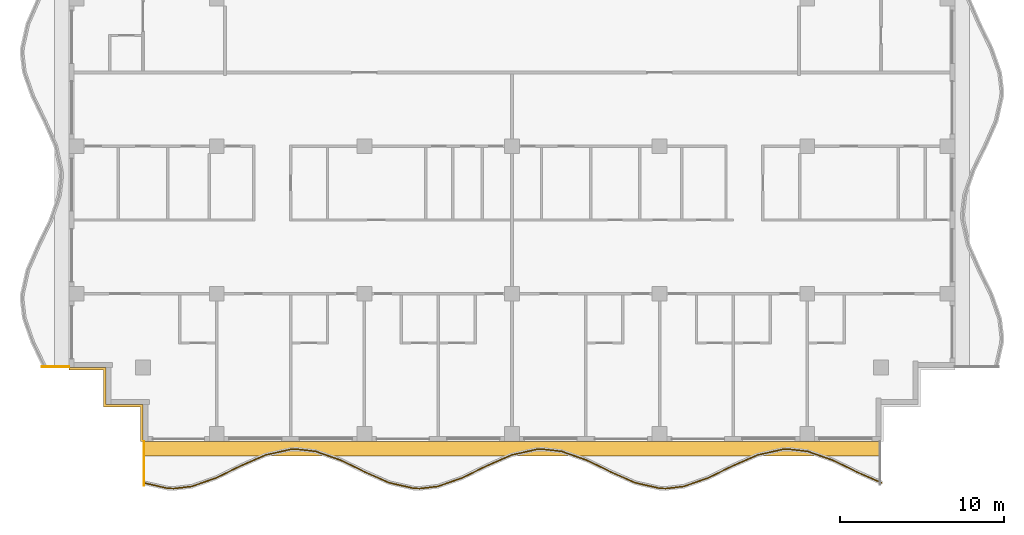
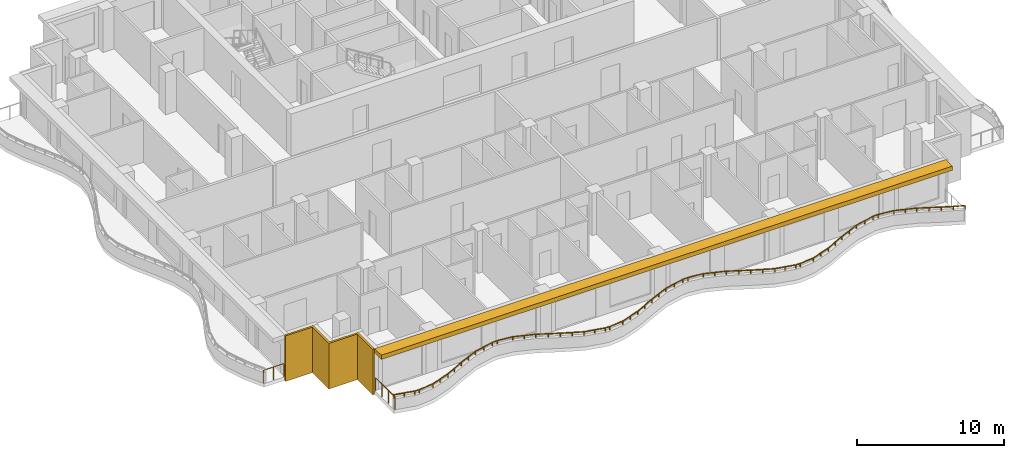
# One storey, part 8 of 11: 3 railings, 2 shading devices.
"""IFC4 building model written with IfcOpenShell, lengths in metres."""

from ifc_helpers import new_model, si_unit, direction, frame, origin, origin_2d, place, context, subcontext, project, spatial, polyline, rectangle, outline, extrude, material, layer, layer_set, type_object, element, save


model = new_model("IFC4")

# Units and contexts
model_context = context("Model", 3, precision=1e-05, world=origin(), true_north=direction((0.0, 1.0)))
body_context = subcontext(model_context, "Body", "Model", "MODEL_VIEW")
ifc_project = project(units=[si_unit("LENGTHUNIT", "METRE"), si_unit("AREAUNIT", "SQUARE_METRE"), si_unit("VOLUMEUNIT", "CUBIC_METRE"), si_unit("PLANEANGLEUNIT", "RADIAN"), si_unit("MASSUNIT", "GRAM", prefix="KILO")], contexts=[model_context])

# Site, building, storey
site_placement = place(None, origin())
site = spatial("IfcSite", under=ifc_project, at=site_placement, CompositionType="ELEMENT")
building_placement = place(site_placement, origin())
building = spatial("IfcBuilding", under=site, at=building_placement, Name="Orbiselva Terraces", CompositionType="ELEMENT")
storey_placement = place(building_placement, frame((0.0, 0.0, 276.8)))
storey = spatial("IfcBuildingStorey", under=building, at=storey_placement, Name="L70", CompositionType="ELEMENT", Elevation=276.8)

# Railings
ifc_material_1 = material(Name="Bonded two-ply safety glass balustrade, stainless steel posts", Category="steel")
railing_type_1 = type_object("IfcRailingType", Name="ENV-BALUSTRADE-1200", PredefinedType="BALUSTRADE", material=ifc_material_1)
railing_1_placement = place(storey_placement, frame((-22.472623, -25.026563, 0.9)))
element("IfcRailing", 1, at=railing_1_placement, inside=storey, type_object=railing_type_1, Name="Balcony balustrade L70 S", PredefinedType="BALUSTRADE", context=body_context, shape_type="SweptSolid", body=[
    extrude(outline(polyline([(0.028868, 0.0), (0.014434, 0.025), (-0.014434, 0.025), (-0.028868, 0.0), (-0.014434, -0.025), (0.014434, -0.025), (0.028868, 0.0)])), frame((0.0, 0.0, 0.275), z_axis=(0.975721322437, -0.21901575501, 0.0), x_axis=(0.21901575501, 0.975721322437, 0.0)), (0.0, 0.0, 1.0), 1.525954),
    extrude(outline(polyline([(0.028868, 0.0), (0.014434, 0.025), (-0.014434, 0.025), (-0.028868, 0.0), (-0.014434, -0.025), (0.014434, -0.025), (0.028868, 0.0)])), frame((1.488906, -0.334208, 0.275), z_axis=(0.999224931454, -0.039364150694, 0.0), x_axis=(0.039364150694, 0.999224931454, 0.0)), (0.0, 0.0, 1.0), 0.354206),
    extrude(outline(polyline([(0.028868, 0.0), (0.014434, 0.025), (-0.014434, 0.025), (-0.028868, 0.0), (-0.014434, -0.025), (0.014434, -0.025), (0.028868, 0.0)])), frame((1.842837, -0.348151, 0.275), z_axis=(0.993309658409, 0.115481264762, 0.0), x_axis=(-0.115481264762, 0.993309658409, 0.0)), (0.0, 0.0, 1.0), 1.10902),
    extrude(outline(polyline([(0.028868, 0.0), (0.014434, 0.025), (-0.014434, 0.025), (-0.028868, 0.0), (-0.014434, -0.025), (0.014434, -0.025), (0.028868, 0.0)])), frame((2.944437, -0.22008, 0.275), z_axis=(0.943972277814, 0.330024754707, 0.0), x_axis=(-0.330024754707, 0.943972277814, 0.0)), (0.0, 0.0, 1.0), 1.567807),
    extrude(outline(polyline([(0.028868, 0.0), (0.014434, 0.025), (-0.014434, 0.025), (-0.028868, 0.0), (-0.014434, -0.025), (0.014434, -0.025), (0.028868, 0.0)])), frame((4.424403, 0.297335, 0.275), z_axis=(0.89857890432, 0.438811978768, 0.0), x_axis=(-0.438811978768, 0.89857890432, 0.0)), (0.0, 0.0, 1.0), 1.66438),
    extrude(outline(polyline([(0.028868, 0.0), (0.014434, 0.025), (-0.014434, 0.025), (-0.028868, 0.0), (-0.014434, -0.025), (0.014434, -0.025), (0.028868, 0.0)])), frame((5.91998, 1.027685, 0.275), z_axis=(0.915133527237, 0.403150874148, 0.0), x_axis=(-0.403150874148, 0.915133527237, 0.0)), (0.0, 0.0, 1.0), 1.653736),
    extrude(outline(polyline([(0.028868, 0.0), (0.014434, 0.025), (-0.014434, 0.025), (-0.028868, 0.0), (-0.014434, -0.025), (0.014434, -0.025), (0.028868, 0.0)])), frame((7.433369, 1.69439, 0.275), z_axis=(0.97572137947, 0.219015500924, 0.0), x_axis=(-0.219015500924, 0.97572137947, 0.0)), (0.0, 0.0, 1.0), 1.560867),
    extrude(outline(polyline([(0.028868, 0.0), (0.014434, 0.025), (-0.014434, 0.025), (-0.028868, 0.0), (-0.014434, -0.025), (0.014434, -0.025), (0.028868, 0.0)])), frame((8.95634, 2.036244, 0.275), z_axis=(0.999224734286, 0.03936915532, 0.0), x_axis=(-0.03936915532, 0.999224734286, 0.0)), (0.0, 0.0, 1.0), 0.396376),
    extrude(outline(polyline([(0.028868, 0.0), (0.014434, 0.025), (-0.014434, 0.025), (-0.028868, 0.0), (-0.014434, -0.025), (0.014434, -0.025), (0.028868, 0.0)])), frame((9.352409, 2.051849, 0.275), z_axis=(0.993309551734, -0.115482182324, 0.0), x_axis=(0.115482182324, 0.993309551734, 0.0)), (0.0, 0.0, 1.0), 1.156135),
    extrude(outline(polyline([(0.028868, 0.0), (0.014434, 0.025), (-0.014434, 0.025), (-0.028868, 0.0), (-0.014434, -0.025), (0.014434, -0.025), (0.028868, 0.0)])), frame((10.500809, 1.918336, 0.275), z_axis=(0.943972332783, -0.330024597479, 0.0), x_axis=(0.330024597479, 0.943972332783, 0.0)), (0.0, 0.0, 1.0), 1.610253),
    extrude(outline(polyline([(0.028868, 0.0), (0.014434, 0.025), (-0.014434, 0.025), (-0.028868, 0.0), (-0.014434, -0.025), (0.014434, -0.025), (0.028868, 0.0)])), frame((12.020843, 1.386913, 0.275), z_axis=(0.898578870221, -0.438812048596, 0.0), x_axis=(0.438812048596, 0.898578870221, 0.0)), (0.0, 0.0, 1.0), 1.674225),
    extrude(outline(polyline([(0.028868, 0.0), (0.014434, 0.025), (-0.014434, 0.025), (-0.028868, 0.0), (-0.014434, -0.025), (0.014434, -0.025), (0.028868, 0.0)])), frame((13.525266, 0.652243, 0.275), z_axis=(0.915133363686, -0.403151245402, 0.0), x_axis=(0.403151245402, 0.915133363686, 0.0)), (0.0, 0.0, 1.0), 1.624475),
    extrude(outline(polyline([(0.028868, 0.0), (0.014434, 0.025), (-0.014434, 0.025), (-0.028868, 0.0), (-0.014434, -0.025), (0.014434, -0.025), (0.028868, 0.0)])), frame((15.011877, -0.002666, 0.275), z_axis=(0.975721325753, -0.219015740235, 0.0), x_axis=(0.219015740235, 0.975721325753, 0.0)), (0.0, 0.0, 1.0), 1.513782),
    extrude(outline(polyline([(0.028868, 0.0), (0.014434, 0.025), (-0.014434, 0.025), (-0.028868, 0.0), (-0.014434, -0.025), (0.014434, -0.025), (0.028868, 0.0)])), frame((16.488906, -0.334208, 0.275), z_axis=(0.999224931454, -0.039364150694, 0.0), x_axis=(0.039364150694, 0.999224931454, 0.0)), (0.0, 0.0, 1.0), 0.354206),
    extrude(outline(polyline([(0.028868, 0.0), (0.014434, 0.025), (-0.014434, 0.025), (-0.028868, 0.0), (-0.014434, -0.025), (0.014434, -0.025), (0.028868, 0.0)])), frame((16.842837, -0.348151, 0.275), z_axis=(0.993309658409, 0.115481264762, 0.0), x_axis=(-0.115481264762, 0.993309658409, 0.0)), (0.0, 0.0, 1.0), 1.10902),
    extrude(outline(polyline([(0.028868, 0.0), (0.014434, 0.025), (-0.014434, 0.025), (-0.028868, 0.0), (-0.014434, -0.025), (0.014434, -0.025), (0.028868, 0.0)])), frame((17.944437, -0.22008, 0.275), z_axis=(0.943972277814, 0.330024754707, 0.0), x_axis=(-0.330024754707, 0.943972277814, 0.0)), (0.0, 0.0, 1.0), 1.567807),
    extrude(outline(polyline([(0.028868, 0.0), (0.014434, 0.025), (-0.014434, 0.025), (-0.028868, 0.0), (-0.014434, -0.025), (0.014434, -0.025), (0.028868, 0.0)])), frame((19.424403, 0.297335, 0.275), z_axis=(0.89857890432, 0.438811978768, 0.0), x_axis=(-0.438811978768, 0.89857890432, 0.0)), (0.0, 0.0, 1.0), 1.66438),
    extrude(outline(polyline([(0.028868, 0.0), (0.014434, 0.025), (-0.014434, 0.025), (-0.028868, 0.0), (-0.014434, -0.025), (0.014434, -0.025), (0.028868, 0.0)])), frame((20.91998, 1.027685, 0.275), z_axis=(0.915133527237, 0.403150874148, 0.0), x_axis=(-0.403150874148, 0.915133527237, 0.0)), (0.0, 0.0, 1.0), 1.653736),
    extrude(outline(polyline([(0.028868, 0.0), (0.014434, 0.025), (-0.014434, 0.025), (-0.028868, 0.0), (-0.014434, -0.025), (0.014434, -0.025), (0.028868, 0.0)])), frame((22.433369, 1.69439, 0.275), z_axis=(0.97572137947, 0.219015500924, 0.0), x_axis=(-0.219015500924, 0.97572137947, 0.0)), (0.0, 0.0, 1.0), 1.560867),
    extrude(outline(polyline([(0.028868, 0.0), (0.014434, 0.025), (-0.014434, 0.025), (-0.028868, 0.0), (-0.014434, -0.025), (0.014434, -0.025), (0.028868, 0.0)])), frame((23.95634, 2.036244, 0.275), z_axis=(0.999224734286, 0.03936915532, 0.0), x_axis=(-0.03936915532, 0.999224734286, 0.0)), (0.0, 0.0, 1.0), 0.396376),
    extrude(outline(polyline([(0.028868, 0.0), (0.014434, 0.025), (-0.014434, 0.025), (-0.028868, 0.0), (-0.014434, -0.025), (0.014434, -0.025), (0.028868, 0.0)])), frame((24.352409, 2.051849, 0.275), z_axis=(0.993309551734, -0.115482182324, 0.0), x_axis=(0.115482182324, 0.993309551734, 0.0)), (0.0, 0.0, 1.0), 1.156135),
    extrude(outline(polyline([(0.028868, 0.0), (0.014434, 0.025), (-0.014434, 0.025), (-0.028868, 0.0), (-0.014434, -0.025), (0.014434, -0.025), (0.028868, 0.0)])), frame((25.500809, 1.918336, 0.275), z_axis=(0.943972332783, -0.330024597479, 0.0), x_axis=(0.330024597479, 0.943972332783, 0.0)), (0.0, 0.0, 1.0), 1.610253),
    extrude(outline(polyline([(0.028868, 0.0), (0.014434, 0.025), (-0.014434, 0.025), (-0.028868, 0.0), (-0.014434, -0.025), (0.014434, -0.025), (0.028868, 0.0)])), frame((27.020843, 1.386913, 0.275), z_axis=(0.898578870221, -0.438812048596, 0.0), x_axis=(0.438812048596, 0.898578870221, 0.0)), (0.0, 0.0, 1.0), 1.674225),
    extrude(outline(polyline([(0.028868, 0.0), (0.014434, 0.025), (-0.014434, 0.025), (-0.028868, 0.0), (-0.014434, -0.025), (0.014434, -0.025), (0.028868, 0.0)])), frame((28.525266, 0.652243, 0.275), z_axis=(0.915133363686, -0.403151245402, 0.0), x_axis=(0.403151245402, 0.915133363686, 0.0)), (0.0, 0.0, 1.0), 1.624475),
    extrude(outline(polyline([(0.028868, 0.0), (0.014434, 0.025), (-0.014434, 0.025), (-0.028868, 0.0), (-0.014434, -0.025), (0.014434, -0.025), (0.028868, 0.0)])), frame((30.011877, -0.002666, 0.275), z_axis=(0.975721325753, -0.219015740235, 0.0), x_axis=(0.219015740235, 0.975721325753, 0.0)), (0.0, 0.0, 1.0), 1.513782),
    extrude(outline(polyline([(0.028868, 0.0), (0.014434, 0.025), (-0.014434, 0.025), (-0.028868, 0.0), (-0.014434, -0.025), (0.014434, -0.025), (0.028868, 0.0)])), frame((31.488906, -0.334208, 0.275), z_axis=(0.999224931454, -0.039364150694, 0.0), x_axis=(0.039364150694, 0.999224931454, 0.0)), (0.0, 0.0, 1.0), 0.354206),
    extrude(outline(polyline([(0.028868, 0.0), (0.014434, 0.025), (-0.014434, 0.025), (-0.028868, 0.0), (-0.014434, -0.025), (0.014434, -0.025), (0.028868, 0.0)])), frame((31.842837, -0.348151, 0.275), z_axis=(0.993309658409, 0.115481264762, 0.0), x_axis=(-0.115481264762, 0.993309658409, 0.0)), (0.0, 0.0, 1.0), 1.10902),
    extrude(outline(polyline([(0.028868, 0.0), (0.014434, 0.025), (-0.014434, 0.025), (-0.028868, 0.0), (-0.014434, -0.025), (0.014434, -0.025), (0.028868, 0.0)])), frame((32.944437, -0.22008, 0.275), z_axis=(0.943972277814, 0.330024754707, 0.0), x_axis=(-0.330024754707, 0.943972277814, 0.0)), (0.0, 0.0, 1.0), 1.567807),
    extrude(outline(polyline([(0.028868, 0.0), (0.014434, 0.025), (-0.014434, 0.025), (-0.028868, 0.0), (-0.014434, -0.025), (0.014434, -0.025), (0.028868, 0.0)])), frame((34.424403, 0.297335, 0.275), z_axis=(0.89857890432, 0.438811978768, 0.0), x_axis=(-0.438811978768, 0.89857890432, 0.0)), (0.0, 0.0, 1.0), 1.66438),
    extrude(outline(polyline([(0.028868, 0.0), (0.014434, 0.025), (-0.014434, 0.025), (-0.028868, 0.0), (-0.014434, -0.025), (0.014434, -0.025), (0.028868, 0.0)])), frame((35.91998, 1.027685, 0.275), z_axis=(0.915133527237, 0.403150874148, 0.0), x_axis=(-0.403150874148, 0.915133527237, 0.0)), (0.0, 0.0, 1.0), 1.653736),
    extrude(outline(polyline([(0.028868, 0.0), (0.014434, 0.025), (-0.014434, 0.025), (-0.028868, 0.0), (-0.014434, -0.025), (0.014434, -0.025), (0.028868, 0.0)])), frame((37.433369, 1.69439, 0.275), z_axis=(0.97572137947, 0.219015500924, 0.0), x_axis=(-0.219015500924, 0.97572137947, 0.0)), (0.0, 0.0, 1.0), 1.560867),
    extrude(outline(polyline([(0.028868, 0.0), (0.014434, 0.025), (-0.014434, 0.025), (-0.028868, 0.0), (-0.014434, -0.025), (0.014434, -0.025), (0.028868, 0.0)])), frame((38.95634, 2.036244, 0.275), z_axis=(0.999224734286, 0.03936915532, 0.0), x_axis=(-0.03936915532, 0.999224734286, 0.0)), (0.0, 0.0, 1.0), 0.396376),
    extrude(outline(polyline([(0.028868, 0.0), (0.014434, 0.025), (-0.014434, 0.025), (-0.028868, 0.0), (-0.014434, -0.025), (0.014434, -0.025), (0.028868, 0.0)])), frame((39.352409, 2.051849, 0.275), z_axis=(0.993309551734, -0.115482182324, 0.0), x_axis=(0.115482182324, 0.993309551734, 0.0)), (0.0, 0.0, 1.0), 1.156135),
    extrude(outline(polyline([(0.028868, 0.0), (0.014434, 0.025), (-0.014434, 0.025), (-0.028868, 0.0), (-0.014434, -0.025), (0.014434, -0.025), (0.028868, 0.0)])), frame((40.500809, 1.918336, 0.275), z_axis=(0.943972332783, -0.330024597479, 0.0), x_axis=(0.330024597479, 0.943972332783, 0.0)), (0.0, 0.0, 1.0), 1.610253),
    extrude(outline(polyline([(0.028868, 0.0), (0.014434, 0.025), (-0.014434, 0.025), (-0.028868, 0.0), (-0.014434, -0.025), (0.014434, -0.025), (0.028868, 0.0)])), frame((42.020843, 1.386913, 0.275), z_axis=(0.898578870221, -0.438812048596, 0.0), x_axis=(0.438812048596, 0.898578870221, 0.0)), (0.0, 0.0, 1.0), 1.674225),
    extrude(outline(polyline([(0.028868, 0.0), (0.014434, 0.025), (-0.014434, 0.025), (-0.028868, 0.0), (-0.014434, -0.025), (0.014434, -0.025), (0.028868, 0.0)])), frame((43.525266, 0.652243, 0.275), z_axis=(0.915133498047, -0.403150940408, 0.0), x_axis=(0.403150940408, 0.915133498047, 0.0)), (0.0, 0.0, 1.0), 1.636648),
    extrude(rectangle(XDim=0.05, YDim=0.05, at=origin_2d()), origin(), (0.0, 0.0, 1.0), 0.25),
    extrude(rectangle(XDim=0.05, YDim=0.05, at=origin_2d()), frame((0.744453, -0.167104, 0.0)), (0.0, 0.0, 1.0), 0.25),
    extrude(rectangle(XDim=0.05, YDim=0.05, at=origin_2d()), frame((1.488906, -0.334208, 0.0)), (0.0, 0.0, 1.0), 0.25),
    extrude(rectangle(XDim=0.05, YDim=0.05, at=origin_2d()), frame((1.842837, -0.348151, 0.0)), (0.0, 0.0, 1.0), 0.25),
    extrude(rectangle(XDim=0.05, YDim=0.05, at=origin_2d()), frame((2.944437, -0.22008, 0.0)), (0.0, 0.0, 1.0), 0.25),
    extrude(rectangle(XDim=0.05, YDim=0.05, at=origin_2d()), frame((3.68442, 0.038628, 0.0)), (0.0, 0.0, 1.0), 0.25),
    extrude(rectangle(XDim=0.05, YDim=0.05, at=origin_2d()), frame((4.424403, 0.297335, 0.0)), (0.0, 0.0, 1.0), 0.25),
    extrude(rectangle(XDim=0.05, YDim=0.05, at=origin_2d()), frame((5.172191, 0.66251, 0.0)), (0.0, 0.0, 1.0), 0.25),
    extrude(rectangle(XDim=0.05, YDim=0.05, at=origin_2d()), frame((5.91998, 1.027685, 0.0)), (0.0, 0.0, 1.0), 0.25),
    extrude(rectangle(XDim=0.05, YDim=0.05, at=origin_2d()), frame((6.676674, 1.361037, 0.0)), (0.0, 0.0, 1.0), 0.25),
    extrude(rectangle(XDim=0.05, YDim=0.05, at=origin_2d()), frame((7.433369, 1.69439, 0.0)), (0.0, 0.0, 1.0), 0.25),
    extrude(rectangle(XDim=0.05, YDim=0.05, at=origin_2d()), frame((8.194854, 1.865317, 0.0)), (0.0, 0.0, 1.0), 0.25),
    extrude(rectangle(XDim=0.05, YDim=0.05, at=origin_2d()), frame((8.95634, 2.036244, 0.0)), (0.0, 0.0, 1.0), 0.25),
    extrude(rectangle(XDim=0.05, YDim=0.05, at=origin_2d()), frame((9.352409, 2.051849, 0.0)), (0.0, 0.0, 1.0), 0.25),
    extrude(rectangle(XDim=0.05, YDim=0.05, at=origin_2d()), frame((10.500809, 1.918336, 0.0)), (0.0, 0.0, 1.0), 0.25),
    extrude(rectangle(XDim=0.05, YDim=0.05, at=origin_2d()), frame((11.260826, 1.652624, 0.0)), (0.0, 0.0, 1.0), 0.25),
    extrude(rectangle(XDim=0.05, YDim=0.05, at=origin_2d()), frame((12.020843, 1.386913, 0.0)), (0.0, 0.0, 1.0), 0.25),
    extrude(rectangle(XDim=0.05, YDim=0.05, at=origin_2d()), frame((12.773054, 1.019578, 0.0)), (0.0, 0.0, 1.0), 0.25),
    extrude(rectangle(XDim=0.05, YDim=0.05, at=origin_2d()), frame((13.525266, 0.652243, 0.0)), (0.0, 0.0, 1.0), 0.25),
    extrude(rectangle(XDim=0.05, YDim=0.05, at=origin_2d()), frame((14.268571, 0.324788, 0.0)), (0.0, 0.0, 1.0), 0.25),
    extrude(rectangle(XDim=0.05, YDim=0.05, at=origin_2d()), frame((15.011877, -0.002666, 0.0)), (0.0, 0.0, 1.0), 0.25),
    extrude(rectangle(XDim=0.05, YDim=0.05, at=origin_2d()), frame((15.750392, -0.168437, 0.0)), (0.0, 0.0, 1.0), 0.25),
    extrude(rectangle(XDim=0.05, YDim=0.05, at=origin_2d()), frame((16.488906, -0.334208, 0.0)), (0.0, 0.0, 1.0), 0.25),
    extrude(rectangle(XDim=0.05, YDim=0.05, at=origin_2d()), frame((16.842837, -0.348151, 0.0)), (0.0, 0.0, 1.0), 0.25),
    extrude(rectangle(XDim=0.05, YDim=0.05, at=origin_2d()), frame((17.944437, -0.22008, 0.0)), (0.0, 0.0, 1.0), 0.25),
    extrude(rectangle(XDim=0.05, YDim=0.05, at=origin_2d()), frame((18.68442, 0.038628, 0.0)), (0.0, 0.0, 1.0), 0.25),
    extrude(rectangle(XDim=0.05, YDim=0.05, at=origin_2d()), frame((19.424403, 0.297335, 0.0)), (0.0, 0.0, 1.0), 0.25),
    extrude(rectangle(XDim=0.05, YDim=0.05, at=origin_2d()), frame((20.172191, 0.66251, 0.0)), (0.0, 0.0, 1.0), 0.25),
    extrude(rectangle(XDim=0.05, YDim=0.05, at=origin_2d()), frame((20.91998, 1.027685, 0.0)), (0.0, 0.0, 1.0), 0.25),
    extrude(rectangle(XDim=0.05, YDim=0.05, at=origin_2d()), frame((21.676674, 1.361037, 0.0)), (0.0, 0.0, 1.0), 0.25),
    extrude(rectangle(XDim=0.05, YDim=0.05, at=origin_2d()), frame((22.433369, 1.69439, 0.0)), (0.0, 0.0, 1.0), 0.25),
    extrude(rectangle(XDim=0.05, YDim=0.05, at=origin_2d()), frame((23.194854, 1.865317, 0.0)), (0.0, 0.0, 1.0), 0.25),
    extrude(rectangle(XDim=0.05, YDim=0.05, at=origin_2d()), frame((23.95634, 2.036244, 0.0)), (0.0, 0.0, 1.0), 0.25),
    extrude(rectangle(XDim=0.05, YDim=0.05, at=origin_2d()), frame((24.352409, 2.051849, 0.0)), (0.0, 0.0, 1.0), 0.25),
    extrude(rectangle(XDim=0.05, YDim=0.05, at=origin_2d()), frame((25.500809, 1.918336, 0.0)), (0.0, 0.0, 1.0), 0.25),
    extrude(rectangle(XDim=0.05, YDim=0.05, at=origin_2d()), frame((26.260826, 1.652624, 0.0)), (0.0, 0.0, 1.0), 0.25),
    extrude(rectangle(XDim=0.05, YDim=0.05, at=origin_2d()), frame((27.020843, 1.386913, 0.0)), (0.0, 0.0, 1.0), 0.25),
    extrude(rectangle(XDim=0.05, YDim=0.05, at=origin_2d()), frame((27.773054, 1.019578, 0.0)), (0.0, 0.0, 1.0), 0.25),
    extrude(rectangle(XDim=0.05, YDim=0.05, at=origin_2d()), frame((28.525266, 0.652243, 0.0)), (0.0, 0.0, 1.0), 0.25),
    extrude(rectangle(XDim=0.05, YDim=0.05, at=origin_2d()), frame((29.268572, 0.324788, 0.0)), (0.0, 0.0, 1.0), 0.25),
    extrude(rectangle(XDim=0.05, YDim=0.05, at=origin_2d()), frame((30.011877, -0.002666, 0.0)), (0.0, 0.0, 1.0), 0.25),
    extrude(rectangle(XDim=0.05, YDim=0.05, at=origin_2d()), frame((30.750392, -0.168437, 0.0)), (0.0, 0.0, 1.0), 0.25),
    extrude(rectangle(XDim=0.05, YDim=0.05, at=origin_2d()), frame((31.488906, -0.334208, 0.0)), (0.0, 0.0, 1.0), 0.25),
    extrude(rectangle(XDim=0.05, YDim=0.05, at=origin_2d()), frame((31.842837, -0.348151, 0.0)), (0.0, 0.0, 1.0), 0.25),
    extrude(rectangle(XDim=0.05, YDim=0.05, at=origin_2d()), frame((32.944437, -0.22008, 0.0)), (0.0, 0.0, 1.0), 0.25),
    extrude(rectangle(XDim=0.05, YDim=0.05, at=origin_2d()), frame((33.68442, 0.038628, 0.0)), (0.0, 0.0, 1.0), 0.25),
    extrude(rectangle(XDim=0.05, YDim=0.05, at=origin_2d()), frame((34.424403, 0.297335, 0.0)), (0.0, 0.0, 1.0), 0.25),
    extrude(rectangle(XDim=0.05, YDim=0.05, at=origin_2d()), frame((35.172192, 0.66251, 0.0)), (0.0, 0.0, 1.0), 0.25),
    extrude(rectangle(XDim=0.05, YDim=0.05, at=origin_2d()), frame((35.91998, 1.027685, 0.0)), (0.0, 0.0, 1.0), 0.25),
    extrude(rectangle(XDim=0.05, YDim=0.05, at=origin_2d()), frame((36.676674, 1.361037, 0.0)), (0.0, 0.0, 1.0), 0.25),
    extrude(rectangle(XDim=0.05, YDim=0.05, at=origin_2d()), frame((37.433369, 1.69439, 0.0)), (0.0, 0.0, 1.0), 0.25),
    extrude(rectangle(XDim=0.05, YDim=0.05, at=origin_2d()), frame((38.194854, 1.865317, 0.0)), (0.0, 0.0, 1.0), 0.25),
    extrude(rectangle(XDim=0.05, YDim=0.05, at=origin_2d()), frame((38.95634, 2.036244, 0.0)), (0.0, 0.0, 1.0), 0.25),
    extrude(rectangle(XDim=0.05, YDim=0.05, at=origin_2d()), frame((39.352409, 2.051849, 0.0)), (0.0, 0.0, 1.0), 0.25),
    extrude(rectangle(XDim=0.05, YDim=0.05, at=origin_2d()), frame((40.500809, 1.918336, 0.0)), (0.0, 0.0, 1.0), 0.25),
    extrude(rectangle(XDim=0.05, YDim=0.05, at=origin_2d()), frame((41.260826, 1.652624, 0.0)), (0.0, 0.0, 1.0), 0.25),
    extrude(rectangle(XDim=0.05, YDim=0.05, at=origin_2d()), frame((42.020843, 1.386913, 0.0)), (0.0, 0.0, 1.0), 0.25),
    extrude(rectangle(XDim=0.05, YDim=0.05, at=origin_2d()), frame((42.773054, 1.019578, 0.0)), (0.0, 0.0, 1.0), 0.25),
    extrude(rectangle(XDim=0.05, YDim=0.05, at=origin_2d()), frame((43.525266, 0.652243, 0.0)), (0.0, 0.0, 1.0), 0.25),
    extrude(rectangle(XDim=0.05, YDim=0.05, at=origin_2d()), frame((44.274142, 0.322335, 0.0)), (0.0, 0.0, 1.0), 0.25),
    extrude(rectangle(XDim=0.05, YDim=0.05, at=origin_2d()), frame((45.023017, -0.007573, 0.0)), (0.0, 0.0, 1.0), 0.25),
])
ifc_material_2 = material(Name="Stainless steel rail and posts", Category="steel")
railing_type_2 = type_object("IfcRailingType", Name="ENV-GUARD-1105", PredefinedType="BALUSTRADE", material=ifc_material_2)
railing_2_placement = place(storey_placement, frame((-22.44, -25.169584, 0.0)))
element("IfcRailing", 2, at=railing_2_placement, inside=storey, type_object=railing_type_2, Name="Balcony end guard L70 S", PredefinedType="BALUSTRADE", context=body_context, shape_type="SweptSolid", body=[
    extrude(outline(polyline([(0.028868, 0.0), (0.014434, 0.025), (-0.014434, 0.025), (-0.028868, 0.0), (-0.014434, -0.025), (0.014434, -0.025), (0.028868, 0.0)])), frame((0.0, 0.0, 1.08), z_axis=(0.0, 1.0, 0.0), x_axis=(-1.0, 0.0, 0.0)), (0.0, 0.0, 1.0), 2.644584),
    extrude(rectangle(XDim=0.05, YDim=0.05, at=origin_2d()), origin(), (0.0, 0.0, 1.0), 1.055),
    extrude(rectangle(XDim=0.05, YDim=0.05, at=origin_2d()), frame((0.0, 0.881528, 0.0)), (0.0, 0.0, 1.0), 1.055),
    extrude(rectangle(XDim=0.05, YDim=0.05, at=origin_2d()), frame((0.0, 1.763056, 0.0)), (0.0, 0.0, 1.0), 1.055),
    extrude(rectangle(XDim=0.05, YDim=0.05, at=origin_2d()), frame((0.0, 2.644584, 0.0)), (0.0, 0.0, 1.0), 1.055),
])
railing_3_placement = place(storey_placement, frame((-28.642123, -17.94, 0.0)))
element("IfcRailing", 3, at=railing_3_placement, inside=storey, type_object=railing_type_2, Name="Balcony end guard L70 W", PredefinedType="BALUSTRADE", context=body_context, shape_type="SweptSolid", body=[
    extrude(outline(polyline([(0.028868, 0.0), (0.014434, 0.025), (-0.014434, 0.025), (-0.028868, 0.0), (-0.014434, -0.025), (0.014434, -0.025), (0.028868, 0.0)])), frame((0.0, 0.0, 1.08), z_axis=(1.0, 0.0, 0.0), x_axis=(0.0, 1.0, 0.0)), (0.0, 0.0, 1.0), 1.617123),
    extrude(rectangle(XDim=0.05, YDim=0.05, at=origin_2d()), origin(), (0.0, 0.0, 1.0), 1.055),
    extrude(rectangle(XDim=0.05, YDim=0.05, at=origin_2d()), frame((0.808562, 0.0, 0.0)), (0.0, 0.0, 1.0), 1.055),
    extrude(rectangle(XDim=0.05, YDim=0.05, at=origin_2d()), frame((1.617123, 0.0, 0.0)), (0.0, 0.0, 1.0), 1.055),
])

# Shading devices
ifc_material_3 = material(Name="Terracotta louvre screen", Category="masonry")
ifc_layer_1 = layer(ifc_material_3, 0.15)
ifc_layer_set_1 = layer_set([ifc_layer_1], Name="Terracotta louvre screen")
shading_device_type_1 = type_object("IfcShadingDeviceType", Name="ENV-SCREEN-150", PredefinedType="USERDEFINED", material=ifc_layer_set_1)
shading_device_1_placement = place(storey_placement, frame((0.0, 0.0, -0.3)))
element("IfcShadingDevice", 4, at=shading_device_1_placement, inside=storey, type_object=shading_device_type_1, Name="Louvre screen L70 SW", ObjectType="SCREEN", PredefinedType="USERDEFINED", context=body_context, shape_type="SweptSolid", body=[
    extrude(outline(polyline([(-27.0, -18.15), (-24.9, -18.15), (-24.9, -20.4), (-22.65, -20.4), (-22.65, -22.5), (-22.5, -22.5), (-22.5, -20.25), (-24.75, -20.25), (-24.75, -18.0), (-27.0, -18.0), (-27.0, -18.15)])), origin(), (0.0, 0.0, 1.0), 3.8),
])
ifc_material_4 = material(Name="Terracotta baguette sunshade", Category="masonry")
ifc_layer_2 = layer(ifc_material_4, 0.35)
ifc_layer_set_2 = layer_set([ifc_layer_2], Name="Terracotta baguette sunshade")
shading_device_type_2 = type_object("IfcShadingDeviceType", Name="ENV-SUNSHADE-900x350", PredefinedType="USERDEFINED", material=ifc_layer_set_2)
shading_device_2_placement = place(storey_placement, frame((0.0, 0.0, 3.15)))
element("IfcShadingDevice", 5, at=shading_device_2_placement, inside=storey, type_object=shading_device_type_2, Name="Sunshade band L70 S", ObjectType="SUNSHADE", PredefinedType="USERDEFINED", context=body_context, shape_type="SweptSolid", body=[
    extrude(outline(polyline([(-22.5, -23.4), (22.5, -23.4), (22.5, -22.5), (-22.5, -22.5), (-22.5, -23.4)])), origin(), (0.0, 0.0, 1.0), 0.35),
])

save(model, "model.ifc")
